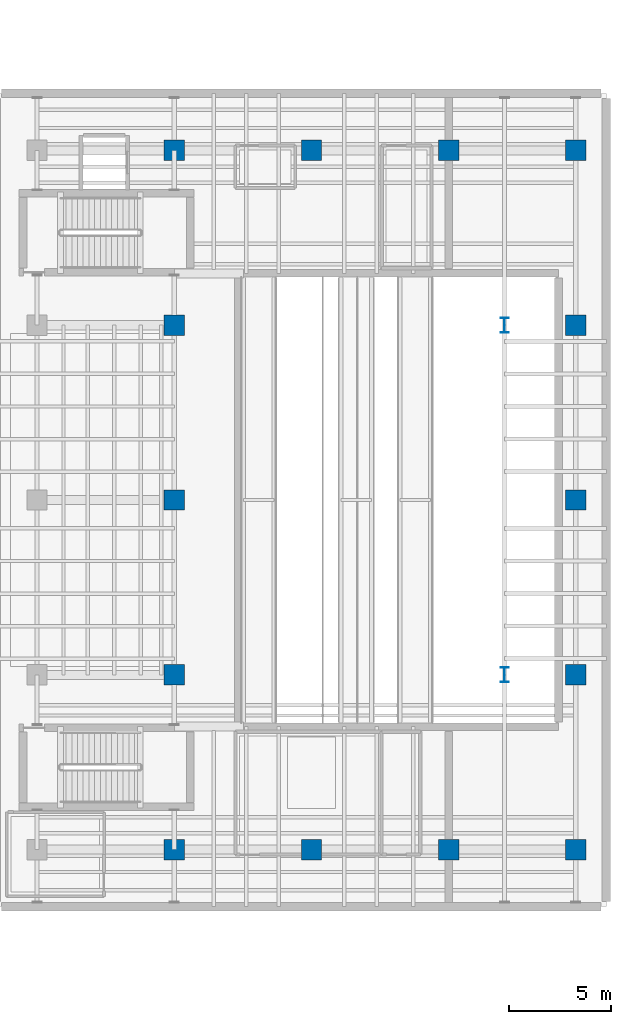
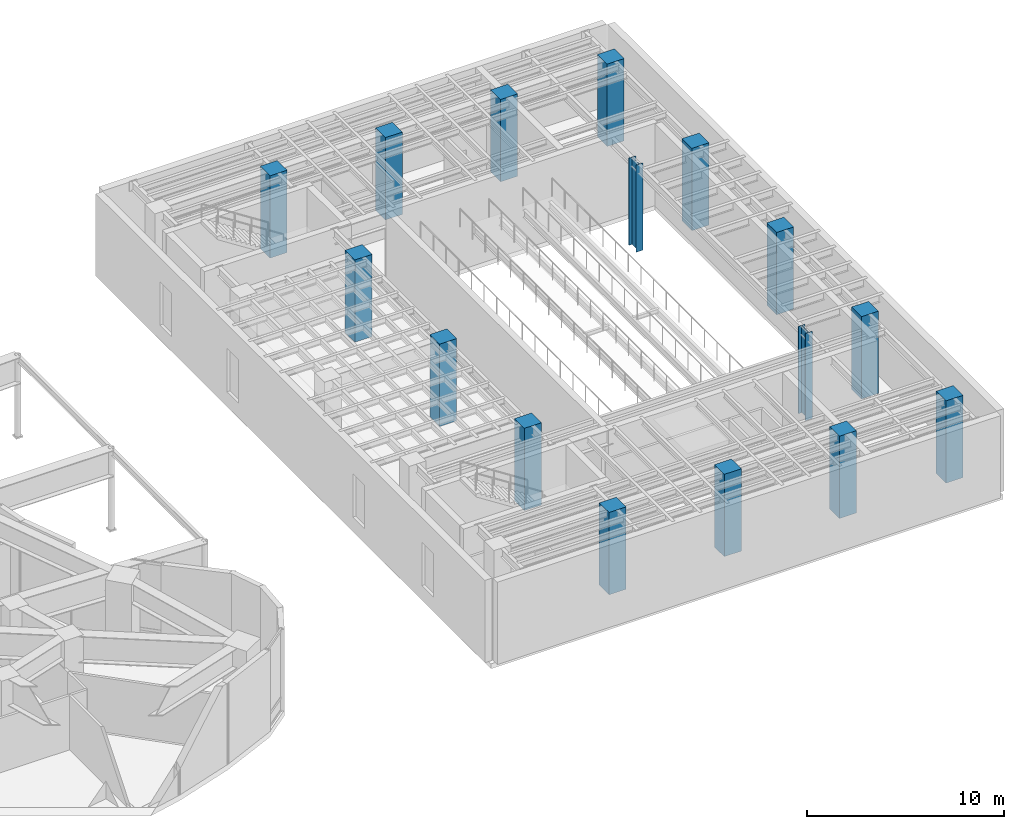
# One storey, part 5 of 23: 16 columns.
"""IFC4 building model written with IfcOpenShell, lengths in metres."""

from ifc_helpers import new_model, si_unit, direction, frame, origin, origin_2d, place, context, subcontext, project, spatial, rectangle, i_section, extrude, material, material_profile, profile_set, type_object, element, save


model = new_model("IFC4")

# Units and contexts
model_context = context("Model", 3, precision=1e-05, world=origin(), true_north=direction((0.0, 1.0)))
body_context = subcontext(model_context, "Body", "Model", "MODEL_VIEW")
ifc_project = project(units=[si_unit("LENGTHUNIT", "METRE"), si_unit("AREAUNIT", "SQUARE_METRE"), si_unit("VOLUMEUNIT", "CUBIC_METRE"), si_unit("PLANEANGLEUNIT", "RADIAN"), si_unit("MASSUNIT", "GRAM", prefix="KILO")], contexts=[model_context])

# Site, building, storey
site_placement = place(None, origin())
site = spatial("IfcSite", under=ifc_project, at=site_placement, CompositionType="ELEMENT")
building_placement = place(site_placement, origin())
building = spatial("IfcBuilding", under=site, at=building_placement, Name="Korentha Bioscience Tower", CompositionType="ELEMENT")
storey_placement = place(building_placement, frame((0.0, 0.0, 15.0)))
storey = spatial("IfcBuildingStorey", under=building, at=storey_placement, Name="L03", CompositionType="ELEMENT", Elevation=15.0)

# Columns
ifc_material_1 = material(Name="Steel S355", Category="steel")
ifc_material_profile_1 = material_profile(ifc_material_1, i_section(OverallWidth=0.39990234375, OverallDepth=0.75, WebThickness=0.01611328125, FlangeThickness=0.028076171875, at=origin_2d()), Name="Steel S355")
ifc_profile_set_1 = profile_set([ifc_material_profile_1], Name="Steel S355 (TC-02)")
column_type_1 = type_object("IfcColumnType", Name="Theatre Fly-Tower Column CVS 750x256", PredefinedType="COLUMN", material=ifc_profile_set_1)
for number, where, z_axis, x_axis, name in (
    (1, (89.5, 18.39990234375, -0.300048828125), (0.0, 0.0, 1.0), (1.0, 0.0, 0.0), "L03 Fly-Tower Steel Column S"),
    (2, (89.5, 35.60009765625, -0.300048828125), (0.0, 0.0, 1.0), (1.0, 0.0, 0.0), "L03 Fly-Tower Steel Column N"),
):
    element("IfcColumn", number, at=place(storey_placement, frame(where, z_axis=z_axis, x_axis=x_axis)), inside=storey, type_object=column_type_1, Name=name, PredefinedType="COLUMN", context=body_context, shape_type="SweptSolid", body=[
        extrude(i_section(OverallWidth=0.39990234375, OverallDepth=0.75, WebThickness=0.01611328125, FlangeThickness=0.028076171875, at=origin_2d()), origin(), (0.0, 0.0, 1.0), 5.400146484375),
    ])
ifc_material_2 = material(Name="Concrete C50", Category="concrete")
ifc_material_profile_2 = material_profile(ifc_material_2, rectangle(XDim=1.0, YDim=1.0, at=origin_2d()), Name="Concrete C50")
ifc_profile_set_2 = profile_set([ifc_material_profile_2], Name="Concrete C50 (TC-I01)")
column_type_2 = type_object("IfcColumnType", Name="Theatre Interior Column RC 1000x1000", PredefinedType="COLUMN", material=ifc_profile_set_2)
for number, where, z_axis, x_axis, name in (
    (3, (73.25, 18.39990234375, 0.0), (0.0, 0.0, 1.0), (1.0, 0.0, 0.0), "L03 Theatre Column 2-2"),
    (4, (73.25, 27.0, 0.0), (0.0, 0.0, 1.0), (1.0, 0.0, 0.0), "L03 Theatre Column 2-3"),
    (5, (73.25, 35.60009765625, 0.0), (0.0, 0.0, 1.0), (1.0, 0.0, 0.0), "L03 Theatre Column 2-4"),
):
    element("IfcColumn", number, at=place(storey_placement, frame(where, z_axis=z_axis, x_axis=x_axis)), inside=storey, type_object=column_type_2, Name=name, PredefinedType="COLUMN", context=body_context, shape_type="SweptSolid", body=[
        extrude(rectangle(XDim=1.0, YDim=1.0, at=origin_2d()), origin(), (0.0, 0.0, 1.0), 5.10009765625),
    ])
ifc_material_profile_3 = material_profile(ifc_material_2, rectangle(XDim=1.0, YDim=1.0, at=origin_2d()), Name="Concrete C50")
ifc_profile_set_3 = profile_set([ifc_material_profile_3], Name="Concrete C50 (TC-01)")
column_type_3 = type_object("IfcColumnType", Name="Theatre Primary Column RC 1000x1000", PredefinedType="COLUMN", material=ifc_profile_set_3)
for number, where, z_axis, x_axis, name in (
    (6, (73.25, 9.800048828125, 0.0), (0.0, 0.0, 1.0), (1.0, 0.0, 0.0), "L03 Theatre Column 2-1"),
    (7, (73.25, 44.199951171875, 0.0), (0.0, 0.0, 1.0), (1.0, 0.0, 0.0), "L03 Theatre Column 2-5"),
    (8, (80.0, 9.800048828125, 0.0), (0.0, 0.0, 1.0), (1.0, 0.0, 0.0), "L03 Theatre Column 3-1"),
    (9, (80.0, 44.199951171875, 0.0), (0.0, 0.0, 1.0), (1.0, 0.0, 0.0), "L03 Theatre Column 3-5"),
    (10, (86.75, 9.800048828125, 0.0), (0.0, 0.0, 1.0), (1.0, 0.0, 0.0), "L03 Theatre Column 4-1"),
    (11, (86.75, 44.199951171875, 0.0), (0.0, 0.0, 1.0), (1.0, 0.0, 0.0), "L03 Theatre Column 4-5"),
    (12, (93.0, 9.800048828125, 0.0), (0.0, 0.0, 1.0), (1.0, 0.0, 0.0), "L03 Theatre Column 5-1"),
    (13, (93.0, 18.39990234375, 0.0), (0.0, 0.0, 1.0), (1.0, 0.0, 0.0), "L03 Theatre Column 5-2"),
    (14, (93.0, 27.0, 0.0), (0.0, 0.0, 1.0), (1.0, 0.0, 0.0), "L03 Theatre Column 5-3"),
    (15, (93.0, 35.60009765625, 0.0), (0.0, 0.0, 1.0), (1.0, 0.0, 0.0), "L03 Theatre Column 5-4"),
    (16, (93.0, 44.199951171875, 0.0), (0.0, 0.0, 1.0), (1.0, 0.0, 0.0), "L03 Theatre Column 5-5"),
):
    element("IfcColumn", number, at=place(storey_placement, frame(where, z_axis=z_axis, x_axis=x_axis)), inside=storey, type_object=column_type_3, Name=name, PredefinedType="COLUMN", context=body_context, shape_type="SweptSolid", body=[
        extrude(rectangle(XDim=1.0, YDim=1.0, at=origin_2d()), origin(), (0.0, 0.0, 1.0), 5.10009765625),
    ])

save(model, "model.ifc")
